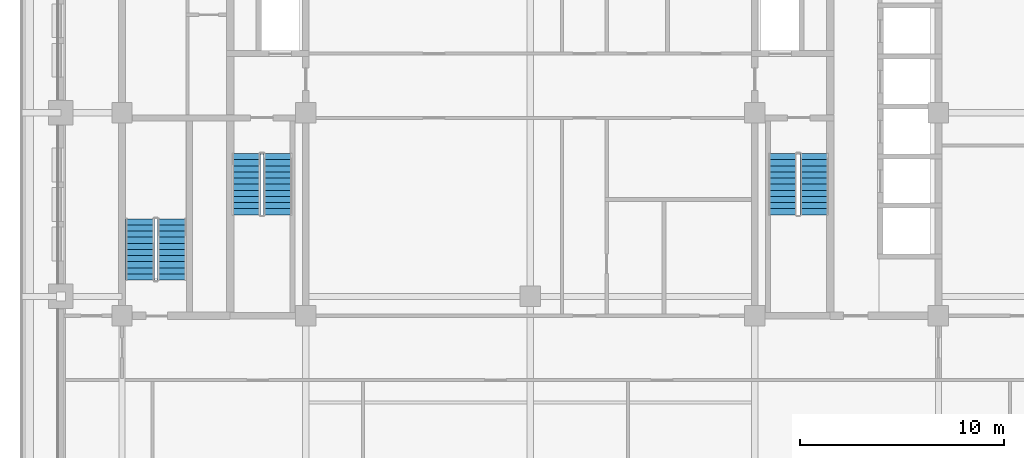
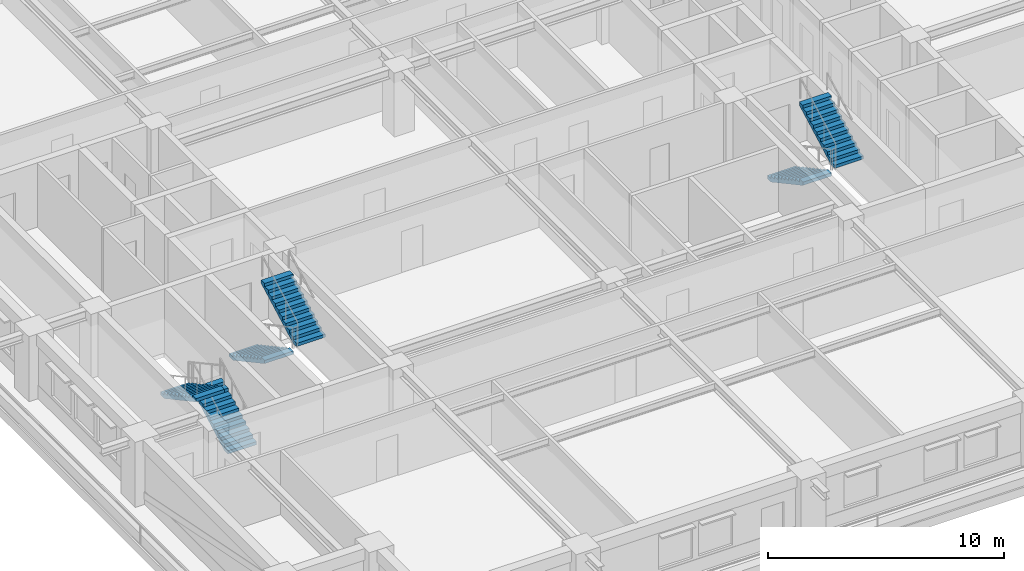
# One storey, part 7 of 14: 6 stair flights, 3 elements without a shape of their own.
"""IFC4 building model written with IfcOpenShell, lengths in metres."""

from ifc_helpers import new_model, si_unit, direction, frame, origin, place, context, subcontext, project, spatial, polyline, outline, extrude, material, layer, layer_set, type_object, element, aggregate, save


model = new_model("IFC4")

# Units and contexts
model_context = context("Model", 3, precision=1e-05, world=origin(), true_north=direction((0.0, 1.0)))
body_context = subcontext(model_context, "Body", "Model", "MODEL_VIEW")
ifc_project = project(units=[si_unit("LENGTHUNIT", "METRE"), si_unit("AREAUNIT", "SQUARE_METRE"), si_unit("VOLUMEUNIT", "CUBIC_METRE"), si_unit("PLANEANGLEUNIT", "RADIAN"), si_unit("MASSUNIT", "GRAM", prefix="KILO")], contexts=[model_context])

# Site, building, storey
site_placement = place(None, origin())
site = spatial("IfcSite", under=ifc_project, at=site_placement, CompositionType="ELEMENT")
building_placement = place(site_placement, origin())
building = spatial("IfcBuilding", under=site, at=building_placement, Name="Zulmaris Gate Convention Tower", CompositionType="ELEMENT")
storey_placement = place(building_placement, frame((0.0, 0.0, 102.06982421875)))
storey = spatial("IfcBuildingStorey", under=building, at=storey_placement, Name="L25", CompositionType="ELEMENT", Elevation=102.06982421875)

# Stair, stair flights
ifc_material = material(Name="Concrete C45/55", Category="concrete")
stair_type = type_object("IfcStairType", Name="ST-CORE-DOGLEG", PredefinedType="HALF_TURN_STAIR", material=ifc_material)
stair_1_placement = place(storey_placement, origin())
stair_1 = element("IfcStair", 1, at=stair_1_placement, inside=storey, type_object=stair_type, Name="L25 Core Exit Stair ST-1", PredefinedType="HALF_TURN_STAIR")
ifc_layer = layer(ifc_material, 0.14990234375, Name="Concrete C45/55")
ifc_layer_set = layer_set([ifc_layer], Name="Concrete C45/55")
stair_flight_type = type_object("IfcStairFlightType", Name="STF-RC150", PredefinedType="STRAIGHT", material=ifc_layer_set)
stair_flight_1_placement = place(storey_placement, frame((-13.919921875, -2.0, 0.0), z_axis=(0.0, 0.0, 1.0), x_axis=(0.0, -1.0, 0.0)))
stair_flight_1 = element("IfcStairFlight", 2, at=stair_flight_1_placement, type_object=stair_flight_type, Name="ST-1 flight 1", NumberOfRisers=11, NumberOfTreads=10, PredefinedType="STRAIGHT", RiserHeight=0.162277273, TreadLength=0.3, context=body_context, shape_type="SweptSolid", body=[
    extrude(outline(polyline([(0.0, 0.0), (0.0, 0.162353515625), (0.300048828125, 0.162353515625), (0.300048828125, 0.324462890625), (0.60009765625, 0.324462890625), (0.60009765625, 0.48681640625), (0.89990234375, 0.48681640625), (0.89990234375, 0.649169921875), (1.199951171875, 0.649169921875), (1.199951171875, 0.811279296875), (1.5, 0.811279296875), (1.5, 0.9736328125), (1.800048828125, 0.9736328125), (1.800048828125, 1.135986328125), (2.10009765625, 1.135986328125), (2.10009765625, 1.29833984375), (2.39990234375, 1.29833984375), (2.39990234375, 1.46044921875), (2.699951171875, 1.46044921875), (2.699951171875, 1.622802734375), (3.0, 1.622802734375), (3.0, 1.78515625), (3.0, 1.452392578125), (0.315185546875, 0.0), (0.0, 0.0)])), frame((0.0, 0.699951171875, 0.0), z_axis=(0.0, -1.0, 0.0), x_axis=(1.0, 0.0, 0.0)), (0.0, 0.0, 1.0), 1.39990234375),
])
stair_flight_2_placement = place(storey_placement, frame((-12.360107421875, -5.0, 1.784912109375), z_axis=(0.0, 0.0, 1.0), x_axis=(0.0, 1.0, 0.0)))
stair_flight_2 = element("IfcStairFlight", 3, at=stair_flight_2_placement, type_object=stair_flight_type, Name="ST-1 flight 2", NumberOfRisers=11, NumberOfTreads=10, PredefinedType="STRAIGHT", RiserHeight=0.162277273, TreadLength=0.3, context=body_context, shape_type="SweptSolid", body=[
    extrude(outline(polyline([(0.0, 0.0), (0.0, 0.162353515625), (0.300048828125, 0.162353515625), (0.300048828125, 0.324462890625), (0.60009765625, 0.324462890625), (0.60009765625, 0.48681640625), (0.89990234375, 0.48681640625), (0.89990234375, 0.649169921875), (1.199951171875, 0.649169921875), (1.199951171875, 0.811279296875), (1.5, 0.811279296875), (1.5, 0.9736328125), (1.800048828125, 0.9736328125), (1.800048828125, 1.135986328125), (2.10009765625, 1.135986328125), (2.10009765625, 1.29833984375), (2.39990234375, 1.29833984375), (2.39990234375, 1.46044921875), (2.699951171875, 1.46044921875), (2.699951171875, 1.622802734375), (3.0, 1.622802734375), (3.0, 1.78515625), (3.0, 1.452392578125), (0.315185546875, 0.0), (0.0, 0.0)])), frame((0.0, 0.699951171875, 0.0), z_axis=(0.0, -1.0, 0.0), x_axis=(1.0, 0.0, 0.0)), (0.0, 0.0, 1.0), 1.39990234375),
])
aggregate(stair_1, [stair_flight_1, stair_flight_2])

stair_2_placement = place(storey_placement, origin())
stair_2 = element("IfcStair", 4, at=stair_2_placement, inside=storey, type_object=stair_type, Name="L25 Core Exit Stair ST-2", PredefinedType="HALF_TURN_STAIR")
stair_flight_3_placement = place(storey_placement, frame((12.360107421875, -2.0, 0.0), z_axis=(0.0, 0.0, 1.0), x_axis=(0.0, -1.0, 0.0)))
stair_flight_3 = element("IfcStairFlight", 5, at=stair_flight_3_placement, type_object=stair_flight_type, Name="ST-2 flight 1", NumberOfRisers=11, NumberOfTreads=10, PredefinedType="STRAIGHT", RiserHeight=0.162277273, TreadLength=0.3, context=body_context, shape_type="SweptSolid", body=[
    extrude(outline(polyline([(0.0, 0.0), (0.0, 0.162353515625), (0.300048828125, 0.162353515625), (0.300048828125, 0.324462890625), (0.60009765625, 0.324462890625), (0.60009765625, 0.48681640625), (0.89990234375, 0.48681640625), (0.89990234375, 0.649169921875), (1.199951171875, 0.649169921875), (1.199951171875, 0.811279296875), (1.5, 0.811279296875), (1.5, 0.9736328125), (1.800048828125, 0.9736328125), (1.800048828125, 1.135986328125), (2.10009765625, 1.135986328125), (2.10009765625, 1.29833984375), (2.39990234375, 1.29833984375), (2.39990234375, 1.46044921875), (2.699951171875, 1.46044921875), (2.699951171875, 1.622802734375), (3.0, 1.622802734375), (3.0, 1.78515625), (3.0, 1.452392578125), (0.315185546875, 0.0), (0.0, 0.0)])), frame((0.0, 0.699951171875, 0.0), z_axis=(0.0, -1.0, 0.0), x_axis=(1.0, 0.0, 0.0)), (0.0, 0.0, 1.0), 1.39990234375),
])
stair_flight_4_placement = place(storey_placement, frame((13.919921875, -5.0, 1.784912109375), z_axis=(0.0, 0.0, 1.0), x_axis=(0.0, 1.0, 0.0)))
stair_flight_4 = element("IfcStairFlight", 6, at=stair_flight_4_placement, type_object=stair_flight_type, Name="ST-2 flight 2", NumberOfRisers=11, NumberOfTreads=10, PredefinedType="STRAIGHT", RiserHeight=0.162277273, TreadLength=0.3, context=body_context, shape_type="SweptSolid", body=[
    extrude(outline(polyline([(0.0, 0.0), (0.0, 0.162353515625), (0.300048828125, 0.162353515625), (0.300048828125, 0.324462890625), (0.60009765625, 0.324462890625), (0.60009765625, 0.48681640625), (0.89990234375, 0.48681640625), (0.89990234375, 0.649169921875), (1.199951171875, 0.649169921875), (1.199951171875, 0.811279296875), (1.5, 0.811279296875), (1.5, 0.9736328125), (1.800048828125, 0.9736328125), (1.800048828125, 1.135986328125), (2.10009765625, 1.135986328125), (2.10009765625, 1.29833984375), (2.39990234375, 1.29833984375), (2.39990234375, 1.46044921875), (2.699951171875, 1.46044921875), (2.699951171875, 1.622802734375), (3.0, 1.622802734375), (3.0, 1.78515625), (3.0, 1.452392578125), (0.315185546875, 0.0), (0.0, 0.0)])), frame((0.0, 0.699951171875, 0.0), z_axis=(0.0, -1.0, 0.0), x_axis=(1.0, 0.0, 0.0)), (0.0, 0.0, 1.0), 1.39990234375),
])
aggregate(stair_2, [stair_flight_3, stair_flight_4])

stair_3_placement = place(storey_placement, origin())
stair_3 = element("IfcStair", 7, at=stair_3_placement, inside=storey, type_object=stair_type, Name="L25 Core Exit Stair ST-3", PredefinedType="HALF_TURN_STAIR")
stair_flight_5_placement = place(storey_placement, frame((-17.56005859375, -8.199951171875, 0.0), z_axis=(0.0, 0.0, 1.0), x_axis=(0.0, 1.0, 0.0)))
stair_flight_5 = element("IfcStairFlight", 8, at=stair_flight_5_placement, type_object=stair_flight_type, Name="ST-3 flight 1", NumberOfRisers=11, NumberOfTreads=10, PredefinedType="STRAIGHT", RiserHeight=0.162277273, TreadLength=0.3, context=body_context, shape_type="SweptSolid", body=[
    extrude(outline(polyline([(0.0, 0.0), (0.0, 0.162353515625), (0.300048828125, 0.162353515625), (0.300048828125, 0.324462890625), (0.60009765625, 0.324462890625), (0.60009765625, 0.48681640625), (0.89990234375, 0.48681640625), (0.89990234375, 0.649169921875), (1.199951171875, 0.649169921875), (1.199951171875, 0.811279296875), (1.5, 0.811279296875), (1.5, 0.9736328125), (1.800048828125, 0.9736328125), (1.800048828125, 1.135986328125), (2.10009765625, 1.135986328125), (2.10009765625, 1.29833984375), (2.39990234375, 1.29833984375), (2.39990234375, 1.46044921875), (2.699951171875, 1.46044921875), (2.699951171875, 1.622802734375), (3.0, 1.622802734375), (3.0, 1.78515625), (3.0, 1.452392578125), (0.315185546875, 0.0), (0.0, 0.0)])), frame((0.0, 0.699951171875, 0.0), z_axis=(0.0, -1.0, 0.0), x_axis=(1.0, 0.0, 0.0)), (0.0, 0.0, 1.0), 1.39990234375),
])
stair_flight_6_placement = place(storey_placement, frame((-19.1201171875, -5.199951171875, 1.784912109375), z_axis=(0.0, 0.0, 1.0), x_axis=(0.0, -1.0, 0.0)))
stair_flight_6 = element("IfcStairFlight", 9, at=stair_flight_6_placement, type_object=stair_flight_type, Name="ST-3 flight 2", NumberOfRisers=11, NumberOfTreads=10, PredefinedType="STRAIGHT", RiserHeight=0.162277273, TreadLength=0.3, context=body_context, shape_type="SweptSolid", body=[
    extrude(outline(polyline([(0.0, 0.0), (0.0, 0.162353515625), (0.300048828125, 0.162353515625), (0.300048828125, 0.324462890625), (0.60009765625, 0.324462890625), (0.60009765625, 0.48681640625), (0.89990234375, 0.48681640625), (0.89990234375, 0.649169921875), (1.199951171875, 0.649169921875), (1.199951171875, 0.811279296875), (1.5, 0.811279296875), (1.5, 0.9736328125), (1.800048828125, 0.9736328125), (1.800048828125, 1.135986328125), (2.10009765625, 1.135986328125), (2.10009765625, 1.29833984375), (2.39990234375, 1.29833984375), (2.39990234375, 1.46044921875), (2.699951171875, 1.46044921875), (2.699951171875, 1.622802734375), (3.0, 1.622802734375), (3.0, 1.78515625), (3.0, 1.452392578125), (0.315185546875, 0.0), (0.0, 0.0)])), frame((0.0, 0.699951171875, 0.0), z_axis=(0.0, -1.0, 0.0), x_axis=(1.0, 0.0, 0.0)), (0.0, 0.0, 1.0), 1.39990234375),
])
aggregate(stair_3, [stair_flight_5, stair_flight_6])

save(model, "model.ifc")
